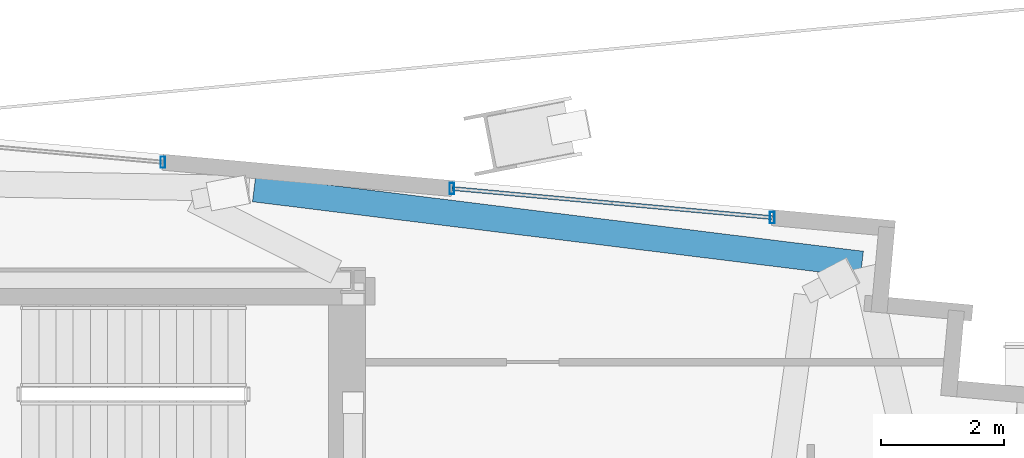
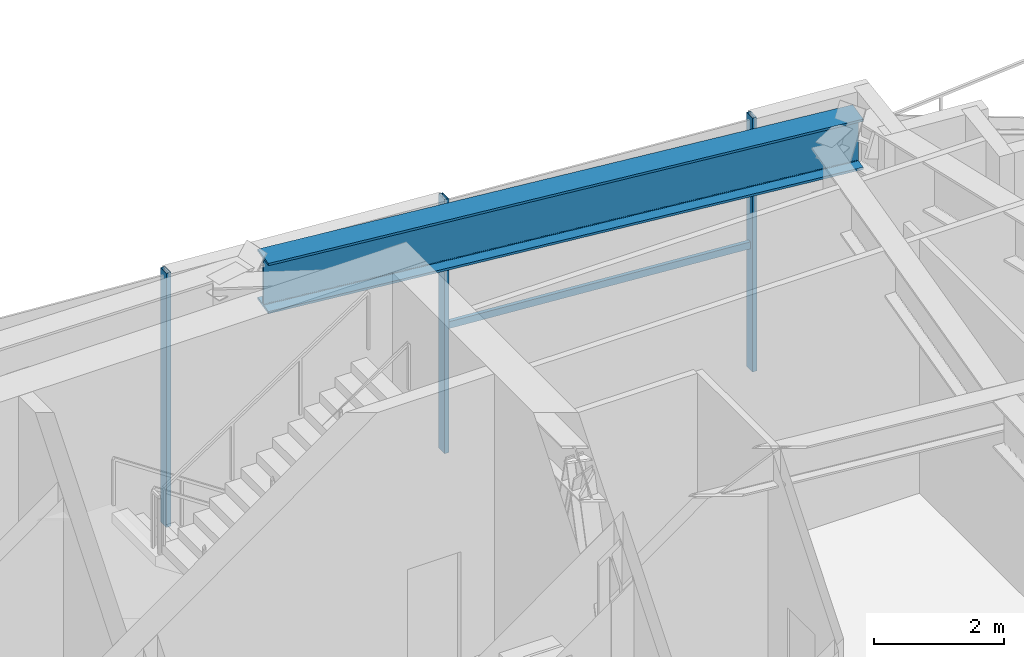
# One storey, part 11 of 20: 4 members, 1 beam, 2 elements without a shape of their own.
"""IFC4 building model written with IfcOpenShell, lengths in metres."""

from ifc_helpers import new_model, si_unit, direction, frame, origin, origin_2d, place, context, subcontext, project, spatial, hollow_rectangle, i_section, extrude, source, transform, mapped, material, material_profile, profile_set, type_object, type_shapes, element, aggregate, save


model = new_model("IFC4")

# Units and contexts
model_context = context("Model", 3, precision=1e-05, world=origin(), true_north=direction((0.0, 1.0)))
body_context = subcontext(model_context, "Body", "Model", "MODEL_VIEW")
ifc_project = project(units=[si_unit("LENGTHUNIT", "METRE"), si_unit("AREAUNIT", "SQUARE_METRE"), si_unit("VOLUMEUNIT", "CUBIC_METRE"), si_unit("PLANEANGLEUNIT", "RADIAN"), si_unit("MASSUNIT", "GRAM", prefix="KILO")], contexts=[model_context])

# Site, building, storey
site_placement = place(None, origin())
site = spatial("IfcSite", under=ifc_project, at=site_placement, CompositionType="ELEMENT")
building_placement = place(site_placement, origin())
building = spatial("IfcBuilding", under=site, at=building_placement, Name="Astriad Promenade Condominiums", CompositionType="ELEMENT")
storey_placement = place(building_placement, frame((0.0, 0.0, 211.39990234375)))
storey = spatial("IfcBuildingStorey", under=building, at=storey_placement, Name="L61", CompositionType="ELEMENT", Elevation=211.39990234375)

# Beam
ifc_material_1 = material(Name="Steel ASTM A992 Grade 50", Category="steel")
ifc_material_profile_1 = material_profile(ifc_material_1, i_section(OverallWidth=0.423095703125, OverallDepth=0.9482421875, WebThickness=0.02392578125, FlangeThickness=0.042724609375, FilletRadius=0.024169921875, at=origin_2d()), Name="W36X302")
ifc_profile_set_1 = profile_set([ifc_material_profile_1], Name="Steel ASTM A992 Grade 50")
beam_type = type_object("IfcBeamType", Name="STEEL PERIMETER RING GIRDER W36X302", PredefinedType="BEAM", material=ifc_profile_set_1)
shared_shape_1 = source(origin(), body_context, "Body", "SweptSolid", [
    extrude(i_section(OverallWidth=0.423095703125, OverallDepth=0.9482421875, WebThickness=0.02392578125, FlangeThickness=0.042724609375, FilletRadius=0.024169921875, at=origin_2d()), origin(), (0.0, 0.0, 1.0), 9.958740234375),
])
type_shapes(beam_type, [shared_shape_1])
beam_placement = place(storey_placement, frame((53.8740234375, 24.264404296875, 4.305908203125), z_axis=(-0.992404458207, 0.12301784964, 0.0), x_axis=(-0.12301784964, -0.992404458207, 0.0)))
element("IfcBeam", 1, at=beam_placement, inside=storey, type_object=beam_type, Name="Perimeter Spandrel Beam SP-N4-L61", PredefinedType="BEAM", context=body_context, shape_type="MappedRepresentation", body=[
    mapped(shared_shape_1, transform((0.0, 0.0, 0.0), scale=1.0)),
])

# Curtain wall, member
ifc_material_2 = material(Name="Anodised aluminium Black Dark Glass Unitised", Category="aluminium")
curtain_wall_type = type_object("IfcCurtainWallType", Name="CW-B5-DARK", PredefinedType="USERDEFINED", material=ifc_material_2)
curtain_wall_1_placement = place(storey_placement, origin())
curtain_wall_1 = element("IfcCurtainWall", 2, at=curtain_wall_1_placement, inside=storey, type_object=curtain_wall_type, Name="CW-L61-N-3", ObjectType="UNITISED_CURTAIN_WALL", PredefinedType="USERDEFINED")
ifc_material_3 = material(Name="Anodised aluminium 6063-T6 Black", Category="aluminium")
ifc_material_profile_2 = material_profile(ifc_material_3, hollow_rectangle(XDim=0.074951171875, YDim=0.18505859375, WallThickness=0.00439453125, at=origin_2d()), Name="ALU-MUL-75X185")
ifc_profile_set_2 = profile_set([ifc_material_profile_2], Name="Anodised aluminium 6063-T6 Black")
member_type_1 = type_object("IfcMemberType", Name="MUL-ALU-MUL-75X185", PredefinedType="MULLION", material=ifc_profile_set_2)
shared_shape_2 = source(origin(), body_context, "Body", "SweptSolid", [
    extrude(hollow_rectangle(XDim=0.074951171875, YDim=0.18505859375, WallThickness=0.00439453125, at=origin_2d()), origin(), (0.0, 0.0, 1.0), 4.780029296875),
])
type_shapes(member_type_1, [shared_shape_2])
member_1_placement = place(storey_placement, frame((42.508056640625, 25.922607421875, 0.0), z_axis=(0.0, 0.0, 1.0), x_axis=(1.0, 0.0, 0.0)))
member_1 = element("IfcMember", 3, at=member_1_placement, type_object=member_type_1, Name="CW-L61-N-3-MUL-01", PredefinedType="MULLION", context=body_context, shape_type="MappedRepresentation", body=[
    mapped(shared_shape_2, transform((0.0, 0.0, 0.0), scale=1.0)),
])
aggregate(curtain_wall_1, [member_1])

# Curtain wall, members
curtain_wall_2_placement = place(storey_placement, origin())
curtain_wall_2 = element("IfcCurtainWall", 4, at=curtain_wall_2_placement, inside=storey, type_object=curtain_wall_type, Name="CW-L61-N-4", ObjectType="UNITISED_CURTAIN_WALL", PredefinedType="USERDEFINED")
member_2_placement = place(storey_placement, frame((47.20849609375, 25.4951171875, 0.0), z_axis=(0.0, 0.0, 1.0), x_axis=(1.0, 0.0, 0.0)))
member_2 = element("IfcMember", 5, at=member_2_placement, type_object=member_type_1, Name="CW-L61-N-4-MUL-00", PredefinedType="MULLION", context=body_context, shape_type="MappedRepresentation", body=[
    mapped(shared_shape_2, transform((0.0, 0.0, 0.0), scale=1.0)),
])
member_3_placement = place(storey_placement, frame((52.4169921875, 25.02099609375, 0.0), z_axis=(0.0, 0.0, 1.0), x_axis=(1.0, 0.0, 0.0)))
member_3 = element("IfcMember", 6, at=member_3_placement, type_object=member_type_1, Name="CW-L61-N-4-MUL-01", PredefinedType="MULLION", context=body_context, shape_type="MappedRepresentation", body=[
    mapped(shared_shape_2, transform((0.0, 0.0, 0.0), scale=1.0)),
])
ifc_material_profile_3 = material_profile(ifc_material_3, hollow_rectangle(XDim=0.06494140625, YDim=0.1298828125, WallThickness=0.00390625, at=origin_2d()), Name="ALU-TRN-65X130")
ifc_profile_set_3 = profile_set([ifc_material_profile_3], Name="Anodised aluminium 6063-T6 Black")
member_type_2 = type_object("IfcMemberType", Name="TRN-ALU-TRN-65X130", PredefinedType="USERDEFINED", material=ifc_profile_set_3)
shared_shape_3 = source(origin(), body_context, "Body", "SweptSolid", [
    extrude(hollow_rectangle(XDim=0.06494140625, YDim=0.1298828125, WallThickness=0.00390625, at=origin_2d()), origin(), (0.0, 0.0, 1.0), 5.22998046875),
])
type_shapes(member_type_2, [shared_shape_3])
member_4_placement = place(storey_placement, frame((47.20849609375, 25.4951171875, 2.35009765625), z_axis=(0.99588248593, -0.090653594622, 0.0), x_axis=(0.090653594622, 0.99588248593, 0.0)))
member_4 = element("IfcMember", 7, at=member_4_placement, type_object=member_type_2, Name="CW-L61-N-4-TRN-00-0", ObjectType="TRANSOM", PredefinedType="USERDEFINED", context=body_context, shape_type="MappedRepresentation", body=[
    mapped(shared_shape_3, transform((0.0, 0.0, 0.0), scale=1.0)),
])
aggregate(curtain_wall_2, [member_2, member_3, member_4])

save(model, "model.ifc")
